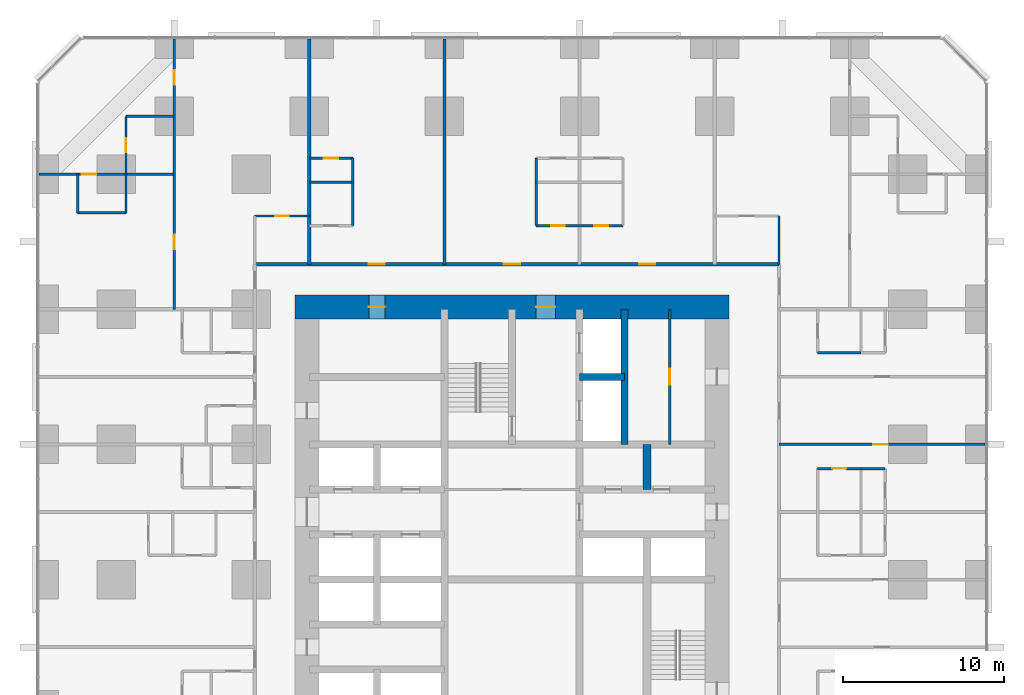
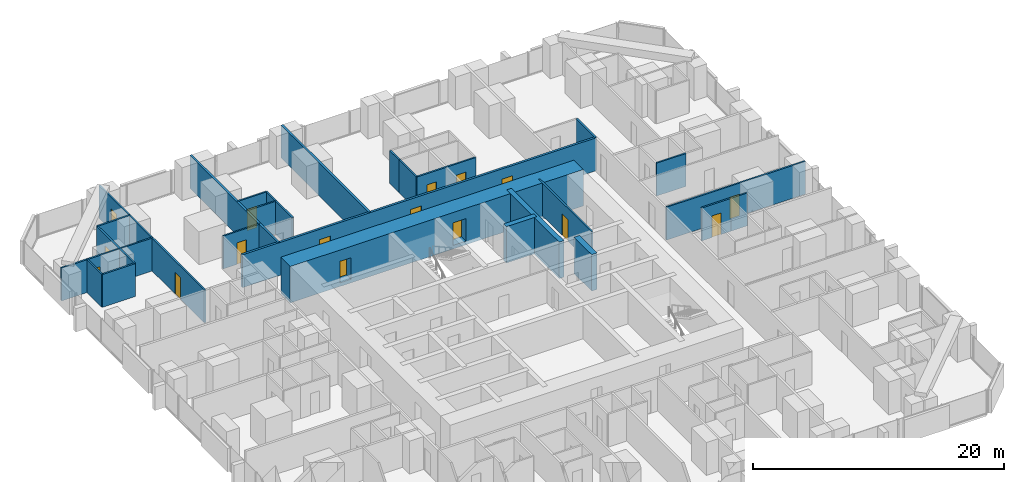
# One storey, part 14 of 16: 28 walls, 16 doors, 16 openings.
"""IFC4 building model written with IfcOpenShell, lengths in metres."""

import ifcopenshell
import ifcopenshell.guid

model = None  # the IFC model being written
_history = None  # IfcOwnerHistory: only IFC2X3 demands one
_inside = {}  # id of a spatial element -> (the spatial element, [elements in it])
_under = {}  # id of a project, library or spatial element -> (it, [spatial elements below it])
_declared = {}  # id of a project -> (the project, [libraries it declares])
_typed = {}  # id of a type object -> (the type object, [elements of that type])
_made_of = {}  # id of a material, layer set ... -> (it, [elements and type objects made of it])


def new_model(schema):
    """Start an empty IFC model of exactly this schema.

    Asked for "IFC4X3", IfcOpenShell would pick the latest addendum, in which some entities
    have other attributes; the version numbers below select the first issue.
    IFC2X3 requires an IfcOwnerHistory on every rooted entity: one is made here for all.
    """
    global model, _history
    if schema == "IFC4X3":
        model = ifcopenshell.file(schema_version=(4, 3, 0, 0))
    else:
        model = ifcopenshell.file(schema=schema)
    _inside.clear()
    _under.clear()
    _declared.clear()
    _typed.clear()
    _made_of.clear()
    _history = None
    if model.schema == "IFC2X3":
        org = make("IfcOrganization", Name="unknown")
        user = make(
            "IfcPersonAndOrganization",
            ThePerson=make("IfcPerson", FamilyName="unknown"),
            TheOrganization=org,
        )
        app = make(
            "IfcApplication",
            ApplicationDeveloper=org,
            Version="unknown",
            ApplicationFullName="unknown",
            ApplicationIdentifier="unknown",
        )
        _history = make(
            "IfcOwnerHistory",
            OwningUser=user,
            OwningApplication=app,
            ChangeAction="ADDED",
            CreationDate=0,
        )
    return model


def make(cls, **values):
    """One entity of the class cls with the attributes given. An attribute that is None is left unset."""
    return model.create_entity(
        cls, **{name: value for name, value in values.items() if value is not None}
    )


def rooted(cls, **values):
    """An entity with a GlobalId (a new one), such as an element, a storey or a relation."""
    return make(cls, GlobalId=ifcopenshell.guid.new(), OwnerHistory=_history, **values)


def si_unit(unit_type, name, prefix=None):
    """IfcSIUnit, for example si_unit("LENGTHUNIT", "METRE", prefix="MILLI")."""
    return make("IfcSIUnit", UnitType=unit_type, Prefix=prefix, Name=name)


def assignment(units):
    """IfcUnitAssignment: the units of a project."""
    return None if units is None else make("IfcUnitAssignment", Units=units)


def point(xyz):
    """IfcCartesianPoint."""
    return None if xyz is None else make("IfcCartesianPoint", Coordinates=xyz)


def direction(xyz):
    """IfcDirection."""
    return None if xyz is None else make("IfcDirection", DirectionRatios=xyz)


def frame(location, z_axis=None, x_axis=None):
    """IfcAxis2Placement3D, a coordinate frame: its origin and axes. An axis left out is left unset."""
    return make(
        "IfcAxis2Placement3D",
        Location=point(location),
        Axis=direction(z_axis),
        RefDirection=direction(x_axis),
    )


def frame_2d(location, x_axis=None):
    """IfcAxis2Placement2D, a coordinate frame in the plane: its origin and x axis."""
    return make(
        "IfcAxis2Placement2D", Location=point(location), RefDirection=direction(x_axis)
    )


def origin():
    """The frame at (0, 0, 0) with its axes left unset."""
    return frame((0.0, 0.0, 0.0))


def place(relative_to, where):
    """IfcLocalPlacement: puts the frame where relative to a parent placement (None: the world)."""
    return make(
        "IfcLocalPlacement", PlacementRelTo=relative_to, RelativePlacement=where
    )


def context(
    kind, dimensions, precision=None, world=None, true_north=None, identifier=None
):
    """IfcGeometricRepresentationContext, for example the 3D "Model" context."""
    return make(
        "IfcGeometricRepresentationContext",
        ContextIdentifier=identifier,
        ContextType=kind,
        CoordinateSpaceDimension=dimensions,
        Precision=precision,
        WorldCoordinateSystem=world,
        TrueNorth=true_north,
    )


def subcontext(parent, identifier, kind, view, scale=None):
    """IfcGeometricRepresentationSubContext, for example "Body" below "Model"."""
    return make(
        "IfcGeometricRepresentationSubContext",
        ContextIdentifier=identifier,
        ContextType=kind,
        ParentContext=parent,
        TargetScale=scale,
        TargetView=view,
    )


def project(units=None, contexts=None):
    """IfcProject with its units and contexts."""
    return rooted(
        "IfcProject",
        Name="project",
        RepresentationContexts=contexts,
        UnitsInContext=assignment(units),
    )


def spatial(cls, under=None, at=None, **own):
    """A site, building, storey or space (cls), placed at a placement, below another one or the project."""
    s = rooted(cls, ObjectPlacement=at, **own)
    if under is not None:
        _under.setdefault(under.id(), (under, []))[1].append(s)
    return s


def profile(cls, at=None, kind="AREA", **sizes):
    """A parametric profile (cls). Its sizes go by their IFC names, for example OverallWidth=200.0."""
    return make(cls, ProfileType=kind, Position=at, **sizes)


def rectangle(**sizes):
    """IfcRectangleProfileDef."""
    return profile("IfcRectangleProfileDef", **sizes)


def extrude(swept, where, along, depth):
    """IfcExtrudedAreaSolid: the profile swept, set in the frame where, extruded along a direction by depth."""
    return make(
        "IfcExtrudedAreaSolid",
        SweptArea=swept,
        Position=where,
        ExtrudedDirection=direction(along),
        Depth=depth,
    )


def shape(context_of_items, identifier, shape_type, items):
    """IfcShapeRepresentation: the items that make up one representation, for example the "Body"."""
    return make(
        "IfcShapeRepresentation",
        ContextOfItems=context_of_items,
        RepresentationIdentifier=identifier,
        RepresentationType=shape_type,
        Items=items,
    )


def material(Name=None, Category=None):
    """IfcMaterial."""
    return make("IfcMaterial", Name=Name, Category=Category)


def layer(
    of_material, thickness, ventilated=None, Name=None, Category=None, Priority=None
):
    """IfcMaterialLayer: one layer of a wall or slab, of a material (None: an air gap)."""
    return make(
        "IfcMaterialLayer",
        Material=of_material,
        LayerThickness=thickness,
        IsVentilated=ventilated,
        Name=Name,
        Category=Category,
        Priority=Priority,
    )


def layer_set(layers, Name=None):
    """IfcMaterialLayerSet."""
    return make("IfcMaterialLayerSet", MaterialLayers=layers, LayerSetName=Name)


def made_of(thing, what):
    """Note that an element or type object is made of a material, layer set ...; save() writes the relation."""
    if what is not None:
        _made_of.setdefault(what.id(), (what, []))[1].append(thing)
    return thing


def type_object(cls, material=None, **own):
    """A type object (cls), such as IfcWallType, which elements share."""
    return made_of(rooted(cls, **own), material)


def element(
    cls,
    number,
    at=None,
    inside=None,
    cuts=None,
    type_object=None,
    material=None,
    context=None,
    identifier="Body",
    shape_type=None,
    held_by="IfcProductDefinitionShape",
    body=None,
    shapes=None,
    **own,
):
    """One element of the class cls, such as IfcWall. Its Tag is "e" and its number.

    at: its placement. inside: the storey or other place that contains it. cuts: it is an
    opening in that element (IfcRelVoidsElement). A single representation is given by context,
    identifier, shape_type and body (its items); several are given by shapes. held_by: the class
    of the entity that holds the representations. save() writes the other relations.
    """
    e = rooted(cls, Tag="e%d" % number, ObjectPlacement=at, **own)
    if body is not None:
        shapes = [shape(context, identifier, shape_type, body)]
    if shapes is not None:
        e.Representation = make(held_by, Representations=shapes)
    if inside is not None:
        _inside.setdefault(inside.id(), (inside, []))[1].append(e)
    if cuts is not None:
        rooted(
            "IfcRelVoidsElement", RelatingBuildingElement=cuts, RelatedOpeningElement=e
        )
    if type_object is not None:
        _typed.setdefault(type_object.id(), (type_object, []))[1].append(e)
    return made_of(e, material)


def fill(opening, filler):
    """IfcRelFillsElement: the door or window that sits in an opening."""
    return rooted(
        "IfcRelFillsElement",
        RelatingOpeningElement=opening,
        RelatedBuildingElement=filler,
    )


def aggregate(whole, parts):
    """IfcRelAggregates: a whole, such as a stair, and the parts it consists of."""
    return rooted("IfcRelAggregates", RelatingObject=whole, RelatedObjects=parts)


def save(model, path):
    """Write the relations noted so far, then the file.

    IfcRelAggregates (storeys below a building ...), IfcRelContainedInSpatialStructure (elements
    in a storey), IfcRelDefinesByType, IfcRelAssociatesMaterial and IfcRelDeclares: one each for
    every whole, place, type object, material and project.
    """
    for whole, parts in _under.values():
        aggregate(whole, parts)
    for where, things in _inside.values():
        rooted(
            "IfcRelContainedInSpatialStructure",
            RelatedElements=things,
            RelatingStructure=where,
        )
    for kind, things in _typed.values():
        rooted("IfcRelDefinesByType", RelatedObjects=things, RelatingType=kind)
    for what, things in _made_of.values():
        rooted("IfcRelAssociatesMaterial", RelatedObjects=things, RelatingMaterial=what)
    for by, libraries in _declared.values():
        rooted("IfcRelDeclares", RelatingContext=by, RelatedDefinitions=libraries)
    model.write(path)


model = new_model("IFC4")

# Units and contexts
model_context = context("Model", 3, precision=1e-05, world=origin(), true_north=direction((0.0, 1.0)))
body_context = subcontext(model_context, "Body", "Model", "MODEL_VIEW")
ifc_project = project(units=[si_unit("LENGTHUNIT", "METRE"), si_unit("AREAUNIT", "SQUARE_METRE"), si_unit("VOLUMEUNIT", "CUBIC_METRE"), si_unit("PLANEANGLEUNIT", "RADIAN"), si_unit("MASSUNIT", "GRAM", prefix="KILO")], contexts=[model_context])

# Site, building, storey
site_placement = place(None, origin())
site = spatial("IfcSite", under=ifc_project, at=site_placement, CompositionType="ELEMENT")
building_placement = place(site_placement, origin())
building = spatial("IfcBuilding", under=site, at=building_placement, Name="Dunama Terrace Hotel", CompositionType="ELEMENT")
storey_placement = place(building_placement, frame((0.0, 0.0, 84.60009765625)))
storey = spatial("IfcBuildingStorey", under=building, at=storey_placement, Name="L21", CompositionType="ELEMENT", Elevation=84.60009765625)

# Wall, opening, door
ifc_material_1 = material(Name="Gypsum board partition", Category="masonry")
ifc_layer_1 = layer(ifc_material_1, 0.14990234375)
ifc_layer_set_1 = layer_set([ifc_layer_1], Name="Bathroom partition 150")
wall_type_1 = type_object("IfcWallType", Name="Bathroom partition 150", PredefinedType="PARTITIONING", material=ifc_layer_set_1)
wall_1_placement = place(storey_placement, frame((5.39990234375, 50.39990234375, 0.0), z_axis=(0.0, 0.0, 1.0), x_axis=(0.0, 1.0, 0.0)))
wall_1 = element("IfcWall", 1, at=wall_1_placement, inside=storey, type_object=wall_type_1, Name="Bathroom partition 150 L21", PredefinedType="PARTITIONING", context=body_context, shape_type="SweptSolid", body=[
    extrude(rectangle(XDim=3.60009765625, YDim=0.14990234375, at=frame_2d((1.800048828125, 0.0))), origin(), (0.0, 0.0, 1.0), 3.199951171875),
])
opening_1_placement = place(wall_1_placement, frame((1.375, 0.0, 0.0)))
opening_1 = element("IfcOpeningElement", 2, at=opening_1_placement, cuts=wall_1, Name="Opening L21-081", PredefinedType="OPENING", context=body_context, shape_type="SweptSolid", body=[
    extrude(rectangle(XDim=0.85009765625, YDim=2.10009765625, at=frame_2d((0.425048828125, 1.050048828125))), frame((0.0, 0.0849609375, 0.0), z_axis=(0.0, -1.0, 0.0), x_axis=(1.0, 0.0, 0.0)), (0.0, 0.0, 1.0), 0.169921875),
])
ifc_material_2 = material(Name="Timber door with steel frame", Category="steel")
door_type_1 = type_object("IfcDoorType", Name="Bathroom door 850", OperationType="SINGLE_SWING_LEFT", PredefinedType="DOOR", material=ifc_material_2)
door_1_placement = place(opening_1_placement, frame((0.85009765625, 0.0, 0.0), z_axis=(0.0, 0.0, 1.0), x_axis=(-1.0, 0.0, 0.0)))
door_1 = element("IfcDoor", 3, at=door_1_placement, inside=storey, type_object=door_type_1, Name="Door to en-suite bathroom L21-081, type D2", OperationType="SINGLE_SWING_RIGHT", OverallHeight=2.10009765625, OverallWidth=0.85009765625, PredefinedType="DOOR", context=body_context, shape_type="SweptSolid", body=[
    extrude(rectangle(XDim=0.85009765625, YDim=2.10009765625, at=frame_2d((0.425048828125, 1.050048828125))), frame((0.0, 0.025146484375, 0.0), z_axis=(0.0, -1.0, 0.0), x_axis=(1.0, 0.0, 0.0)), (0.0, 0.0, 1.0), 0.050048828125),
])
fill(opening_1, door_1)

# Walls
for number, where, z_axis, x_axis, name in (
    (4, (19.5, 47.199951171875, 0.0), (0.0, 0.0, 1.0), (0.0, 1.0, 0.0), "Bathroom partition 150 L21"),
    (5, (30.89990234375, 47.199951171875, 0.0), (0.0, 0.0, 1.0), (0.0, 1.0, 0.0), "Bathroom partition 150 L21"),
):
    element("IfcWall", number, at=place(storey_placement, frame(where, z_axis=z_axis, x_axis=x_axis)), inside=storey, type_object=wall_type_1, Name=name, PredefinedType="PARTITIONING", context=body_context, shape_type="SweptSolid", body=[
        extrude(rectangle(XDim=2.699951171875, YDim=0.14990234375, at=frame_2d((1.35009765625, 0.0))), origin(), (0.0, 0.0, 1.0), 3.199951171875),
    ])
wall_2_placement = place(storey_placement, frame((46.0, 44.800048828125, 0.0), z_axis=(0.0, 0.0, 1.0), x_axis=(0.0, 1.0, 0.0)))
element("IfcWall", 6, at=wall_2_placement, inside=storey, type_object=wall_type_1, Name="Bathroom partition 150 L21", PredefinedType="PARTITIONING", context=body_context, shape_type="SweptSolid", body=[
    extrude(rectangle(XDim=3.0, YDim=0.14990234375, at=frame_2d((1.5, 0.0))), origin(), (0.0, 0.0, 1.0), 3.199951171875),
])

# Wall, opening, door
wall_3_placement = place(storey_placement, frame((48.39990234375, 32.10009765625, 0.0), z_axis=(0.0, 0.0, 1.0), x_axis=(1.0, 0.0, 0.0)))
wall_3 = element("IfcWall", 7, at=wall_3_placement, inside=storey, type_object=wall_type_1, Name="Bathroom partition 150 L21", PredefinedType="PARTITIONING", context=body_context, shape_type="SweptSolid", body=[
    extrude(rectangle(XDim=2.7001953125, YDim=0.14990234375, at=frame_2d((1.35009765625, 0.0))), origin(), (0.0, 0.0, 1.0), 3.199951171875),
])
opening_2_placement = place(wall_3_placement, frame((0.925048828125, 0.0, 0.0)))
opening_2 = element("IfcOpeningElement", 8, at=opening_2_placement, cuts=wall_3, Name="Opening L21-035", PredefinedType="OPENING", context=body_context, shape_type="SweptSolid", body=[
    extrude(rectangle(XDim=0.85009765625, YDim=2.10009765625, at=frame_2d((0.425048828125, 1.050048828125))), frame((0.0, 0.0849609375, 0.0), z_axis=(0.0, -1.0, 0.0), x_axis=(1.0, 0.0, 0.0)), (0.0, 0.0, 1.0), 0.169921875),
])
door_2_placement = place(opening_2_placement, frame((0.85009765625, 0.0, 0.0), z_axis=(0.0, 0.0, 1.0), x_axis=(-1.0, 0.0, 0.0)))
door_2 = element("IfcDoor", 9, at=door_2_placement, inside=storey, type_object=door_type_1, Name="Door to en-suite bathroom L21-035, type D2", OperationType="SINGLE_SWING_RIGHT", OverallHeight=2.10009765625, OverallWidth=0.85009765625, PredefinedType="DOOR", context=body_context, shape_type="SweptSolid", body=[
    extrude(rectangle(XDim=0.85009765625, YDim=2.10009765625, at=frame_2d((0.425048828125, 1.050048828125))), frame((0.0, 0.025146484375, 0.0), z_axis=(0.0, -1.0, 0.0), x_axis=(1.0, 0.0, 0.0)), (0.0, 0.0, 1.0), 0.050048828125),
])
fill(opening_2, door_2)

# Wall
wall_4_placement = place(storey_placement, frame((48.39990234375, 39.300048828125, 0.0), z_axis=(0.0, 0.0, 1.0), x_axis=(1.0, 0.0, 0.0)))
element("IfcWall", 10, at=wall_4_placement, inside=storey, type_object=wall_type_1, Name="Bathroom partition 150 L21", PredefinedType="PARTITIONING", context=body_context, shape_type="SweptSolid", body=[
    extrude(rectangle(XDim=2.7001953125, YDim=0.14990234375, at=frame_2d((1.35009765625, 0.0))), origin(), (0.0, 0.0, 1.0), 3.199951171875),
])

# Wall, openings, doors
wall_5_placement = place(storey_placement, frame((30.89990234375, 47.199951171875, 0.0), z_axis=(0.0, 0.0, 1.0), x_axis=(1.0, 0.0, 0.0)))
wall_5 = element("IfcWall", 11, at=wall_5_placement, inside=storey, type_object=wall_type_1, Name="Bathroom partition 150 L21", PredefinedType="PARTITIONING", context=body_context, shape_type="SweptSolid", body=[
    extrude(rectangle(XDim=5.400146484375, YDim=0.14990234375, at=frame_2d((2.7001953125, 0.0))), origin(), (0.0, 0.0, 1.0), 3.199951171875),
])
opening_3_placement = place(wall_5_placement, frame((0.925048828125, 0.0, 0.0)))
opening_3 = element("IfcOpeningElement", 12, at=opening_3_placement, cuts=wall_5, Name="Opening L21-041", PredefinedType="OPENING", context=body_context, shape_type="SweptSolid", body=[
    extrude(rectangle(XDim=0.85009765625, YDim=2.10009765625, at=frame_2d((0.425048828125, 1.050048828125))), frame((0.0, 0.0849609375, 0.0), z_axis=(0.0, -1.0, 0.0), x_axis=(1.0, 0.0, 0.0)), (0.0, 0.0, 1.0), 0.169921875),
])
opening_4_placement = place(wall_5_placement, frame((3.625, 0.0, 0.0)))
opening_4 = element("IfcOpeningElement", 13, at=opening_4_placement, cuts=wall_5, Name="Opening L21-044", PredefinedType="OPENING", context=body_context, shape_type="SweptSolid", body=[
    extrude(rectangle(XDim=0.85009765625, YDim=2.10009765625, at=frame_2d((0.425048828125, 1.050048828125))), frame((0.0, 0.0849609375, 0.0), z_axis=(0.0, -1.0, 0.0), x_axis=(1.0, 0.0, 0.0)), (0.0, 0.0, 1.0), 0.169921875),
])
door_3_placement = place(opening_3_placement, origin())
door_3 = element("IfcDoor", 14, at=door_3_placement, inside=storey, type_object=door_type_1, Name="Door to en-suite bathroom L21-041, type D2", OperationType="SINGLE_SWING_RIGHT", OverallHeight=2.10009765625, OverallWidth=0.85009765625, PredefinedType="DOOR", context=body_context, shape_type="SweptSolid", body=[
    extrude(rectangle(XDim=0.85009765625, YDim=2.10009765625, at=frame_2d((0.425048828125, 1.050048828125))), frame((0.0, 0.02490234375, 0.0), z_axis=(0.0, -1.0, 0.0), x_axis=(1.0, 0.0, 0.0)), (0.0, 0.0, 1.0), 0.050048828125),
])
fill(opening_3, door_3)
door_4_placement = place(opening_4_placement, origin())
door_4 = element("IfcDoor", 15, at=door_4_placement, inside=storey, type_object=door_type_1, Name="Door to en-suite bathroom L21-044, type D2", OperationType="SINGLE_SWING_LEFT", OverallHeight=2.10009765625, OverallWidth=0.85009765625, PredefinedType="DOOR", context=body_context, shape_type="SweptSolid", body=[
    extrude(rectangle(XDim=0.85009765625, YDim=2.10009765625, at=frame_2d((0.425048828125, 1.050048828125))), frame((0.0, 0.02490234375, 0.0), z_axis=(0.0, -1.0, 0.0), x_axis=(1.0, 0.0, 0.0)), (0.0, 0.0, 1.0), 0.050048828125),
])
fill(opening_4, door_4)

# Wall, opening, door
wall_6_placement = place(storey_placement, frame((13.39990234375, 47.800048828125, 0.0), z_axis=(0.0, 0.0, 1.0), x_axis=(1.0, 0.0, 0.0)))
wall_6 = element("IfcWall", 16, at=wall_6_placement, inside=storey, type_object=wall_type_1, Name="Bathroom partition 150 L21", PredefinedType="PARTITIONING", context=body_context, shape_type="SweptSolid", body=[
    extrude(rectangle(XDim=3.400146484375, YDim=0.14990234375, at=frame_2d((1.7001953125, 0.0))), origin(), (0.0, 0.0, 1.0), 3.199951171875),
])
opening_5_placement = place(wall_6_placement, frame((1.27490234375, 0.0, 0.0)))
opening_5 = element("IfcOpeningElement", 17, at=opening_5_placement, cuts=wall_6, Name="Opening L21-079", PredefinedType="OPENING", context=body_context, shape_type="SweptSolid", body=[
    extrude(rectangle(XDim=0.85009765625, YDim=2.10009765625, at=frame_2d((0.425048828125, 1.050048828125))), frame((0.0, 0.0849609375, 0.0), z_axis=(0.0, -1.0, 0.0), x_axis=(1.0, 0.0, 0.0)), (0.0, 0.0, 1.0), 0.169921875),
])
door_5_placement = place(opening_5_placement, frame((0.85009765625, 0.0, 0.0), z_axis=(0.0, 0.0, 1.0), x_axis=(-1.0, 0.0, 0.0)))
door_5 = element("IfcDoor", 18, at=door_5_placement, inside=storey, type_object=door_type_1, Name="Door to powder room L21-079, type D2", OperationType="SINGLE_SWING_LEFT", OverallHeight=2.10009765625, OverallWidth=0.85009765625, PredefinedType="DOOR", context=body_context, shape_type="SweptSolid", body=[
    extrude(rectangle(XDim=0.85009765625, YDim=2.10009765625, at=frame_2d((0.425048828125, 1.050048828125))), frame((0.0, 0.025146484375, 0.0), z_axis=(0.0, -1.0, 0.0), x_axis=(1.0, 0.0, 0.0)), (0.0, 0.0, 1.0), 0.050048828125),
])
fill(opening_5, door_5)

# Walls
wall_7_placement = place(storey_placement, frame((5.39990234375, 54.0, 0.0), z_axis=(0.0, 0.0, 1.0), x_axis=(1.0, 0.0, 0.0)))
element("IfcWall", 19, at=wall_7_placement, inside=storey, type_object=wall_type_1, Name="Bathroom partition 150 L21", PredefinedType="PARTITIONING", context=body_context, shape_type="SweptSolid", body=[
    extrude(rectangle(XDim=3.0, YDim=0.14990234375, at=frame_2d((1.5, 0.0))), origin(), (0.0, 0.0, 1.0), 3.199951171875),
])
ifc_material_3 = material(Name="Concrete C50/60", Category="concrete")
ifc_layer_2 = layer(ifc_material_3, 0.449951171875)
ifc_layer_set_2 = layer_set([ifc_layer_2], Name="Core inner wall 450")
wall_type_2 = type_object("IfcWallType", Name="Core inner wall 450", PredefinedType="SHEAR", material=ifc_layer_set_2)
wall_8_placement = place(storey_placement, frame((36.39990234375, 33.60009765625, -0.35009765625), z_axis=(0.0, 0.0, 1.0), x_axis=(0.0, 1.0, 0.0)))
element("IfcWall", 20, at=wall_8_placement, inside=storey, type_object=wall_type_2, Name="Core inner wall 450 L21", PredefinedType="SHEAR", context=body_context, shape_type="SweptSolid", body=[
    extrude(rectangle(XDim=8.39990234375, YDim=0.449951171875, at=frame_2d((4.199951171875, 0.0))), origin(), (0.0, 0.0, 1.0), 3.550048828125),
])
wall_9_placement = place(storey_placement, frame((33.60009765625, 37.800048828125, -0.35009765625), z_axis=(0.0, 0.0, 1.0), x_axis=(1.0, 0.0, 0.0)))
element("IfcWall", 21, at=wall_9_placement, inside=storey, type_object=wall_type_2, Name="Core inner wall 450 L21", PredefinedType="SHEAR", context=body_context, shape_type="SweptSolid", body=[
    extrude(rectangle(XDim=2.7998046875, YDim=0.449951171875, at=frame_2d((1.39990234375, 0.0))), origin(), (0.0, 0.0, 1.0), 3.550048828125),
])
ifc_material_4 = material(Name="Concrete C50/60", Category="concrete")
ifc_layer_3 = layer(ifc_material_4, 0.5)
ifc_layer_set_3 = layer_set([ifc_layer_3], Name="Core inner wall 500")
wall_type_3 = type_object("IfcWallType", Name="Core inner wall 500", PredefinedType="SHEAR", material=ifc_layer_set_3)
wall_10_placement = place(storey_placement, frame((37.800048828125, 30.800048828125, -0.35009765625), z_axis=(0.0, 0.0, 1.0), x_axis=(0.0, 1.0, 0.0)))
element("IfcWall", 22, at=wall_10_placement, inside=storey, type_object=wall_type_3, Name="Core inner wall 500 L21", PredefinedType="SHEAR", context=body_context, shape_type="SweptSolid", body=[
    extrude(rectangle(XDim=2.800048828125, YDim=0.5, at=frame_2d((1.39990234375, 0.0))), origin(), (0.0, 0.0, 1.0), 3.550048828125),
])

# Wall, openings, doors
ifc_material_5 = material(Name="Concrete C60/75", Category="concrete")
ifc_layer_4 = layer(ifc_material_5, 1.5)
ifc_layer_set_4 = layer_set([ifc_layer_4], Name="Core wall 1500")
wall_type_4 = type_object("IfcWallType", Name="Core wall 1500", PredefinedType="SHEAR", material=ifc_layer_set_4)
wall_11_placement = place(storey_placement, frame((42.89990234375, 42.14990234375, -0.35009765625), z_axis=(0.0, 0.0, 1.0), x_axis=(-1.0, 0.0, 0.0)))
wall_11 = element("IfcWall", 23, at=wall_11_placement, inside=storey, type_object=wall_type_4, Name="Core wall north L21", PredefinedType="SHEAR", context=body_context, shape_type="SweptSolid", body=[
    extrude(rectangle(XDim=27.0, YDim=1.5, at=frame_2d((13.5, 0.0))), origin(), (0.0, 0.0, 1.0), 3.550048828125),
])
opening_6_placement = place(wall_11_placement, frame((21.39990234375, 0.0, 0.35009765625)))
opening_6 = element("IfcOpeningElement", 24, at=opening_6_placement, cuts=wall_11, Name="Opening L21-087", PredefinedType="OPENING", context=body_context, shape_type="SweptSolid", body=[
    extrude(rectangle(XDim=1.0, YDim=2.10009765625, at=frame_2d((0.5, 1.050048828125))), frame((0.0, 0.760009765625, 0.0), z_axis=(0.0, -1.0, 0.0), x_axis=(1.0, 0.0, 0.0)), (0.0, 0.0, 1.0), 1.52001953125),
])
opening_7_placement = place(wall_11_placement, frame((10.800048828125, 0.0, 0.35009765625)))
opening_7 = element("IfcOpeningElement", 25, at=opening_7_placement, cuts=wall_11, Name="Opening L21-093", PredefinedType="OPENING", context=body_context, shape_type="SweptSolid", body=[
    extrude(rectangle(XDim=1.199951171875, YDim=2.199951171875, at=frame_2d((0.60009765625, 1.10009765625))), frame((0.0, 0.760009765625, 0.0), z_axis=(0.0, -1.0, 0.0), x_axis=(1.0, 0.0, 0.0)), (0.0, 0.0, 1.0), 1.52001953125),
])
ifc_material_6 = material(Name="Timber door with steel frame", Category="steel")
door_type_2 = type_object("IfcDoorType", Name="Firefighting lobby door 1200", OperationType="SINGLE_SWING_LEFT", PredefinedType="DOOR", material=ifc_material_6)
door_6_placement = place(opening_7_placement, origin())
door_6 = element("IfcDoor", 26, at=door_6_placement, inside=storey, type_object=door_type_2, Name="Door to firefighting lobby L21-093, type D4", OperationType="SINGLE_SWING_RIGHT", OverallHeight=2.199951171875, OverallWidth=1.199951171875, PredefinedType="DOOR", context=body_context, shape_type="SweptSolid", body=[
    extrude(rectangle(XDim=1.199951171875, YDim=2.199951171875, at=frame_2d((0.60009765625, 1.10009765625))), frame((0.0, 0.02490234375, 0.0), z_axis=(0.0, -1.0, 0.0), x_axis=(1.0, 0.0, 0.0)), (0.0, 0.0, 1.0), 0.050048828125),
])
fill(opening_7, door_6)
ifc_material_7 = material(Name="Timber door with steel frame", Category="steel")
door_type_3 = type_object("IfcDoorType", Name="Service door 1000", OperationType="SINGLE_SWING_LEFT", PredefinedType="DOOR", material=ifc_material_7)
door_7_placement = place(opening_6_placement, origin())
door_7 = element("IfcDoor", 27, at=door_7_placement, inside=storey, type_object=door_type_3, Name="Door to communications and riser room L21-087, type D7", OperationType="SINGLE_SWING_LEFT", OverallHeight=2.10009765625, OverallWidth=1.0, PredefinedType="DOOR", context=body_context, shape_type="SweptSolid", body=[
    extrude(rectangle(XDim=1.0, YDim=2.10009765625, at=frame_2d((0.5, 1.050048828125))), frame((0.0, 0.02490234375, 0.0), z_axis=(0.0, -1.0, 0.0), x_axis=(1.0, 0.0, 0.0)), (0.0, 0.0, 1.0), 0.050048828125),
])
fill(opening_6, door_7)

ifc_material_8 = material(Name="Concrete blockwork", Category="masonry")
ifc_layer_5 = layer(ifc_material_8, 0.199951171875)
ifc_layer_set_5 = layer_set([ifc_layer_5], Name="Corridor partition 200")
wall_type_5 = type_object("IfcWallType", Name="Corridor partition 200", PredefinedType="PARTITIONING", material=ifc_layer_set_5)
wall_12_placement = place(storey_placement, frame((13.39990234375, 44.800048828125, 0.0), z_axis=(0.0, 0.0, 1.0), x_axis=(1.0, 0.0, 0.0)))
wall_12 = element("IfcWall", 28, at=wall_12_placement, inside=storey, type_object=wall_type_5, Name="Corridor partition 200 L21", PredefinedType="PARTITIONING", context=body_context, shape_type="SweptSolid", body=[
    extrude(rectangle(XDim=32.60009765625, YDim=0.199951171875, at=frame_2d((16.300048828125, 0.0))), origin(), (0.0, 0.0, 1.0), 3.199951171875),
])
opening_8_placement = place(wall_12_placement, frame((7.10009765625, 0.0, 0.0)))
opening_8 = element("IfcOpeningElement", 29, at=opening_8_placement, cuts=wall_12, Name="Opening L21-037", PredefinedType="OPENING", context=body_context, shape_type="SweptSolid", body=[
    extrude(rectangle(XDim=1.0, YDim=2.199951171875, at=frame_2d((0.5, 1.10009765625))), frame((0.0, 0.10986328125, 0.0), z_axis=(0.0, -1.0, 0.0), x_axis=(1.0, 0.0, 0.0)), (0.0, 0.0, 1.0), 0.219970703125),
])
opening_9_placement = place(wall_12_placement, frame((15.5, 0.0, 0.0)))
opening_9 = element("IfcOpeningElement", 30, at=opening_9_placement, cuts=wall_12, Name="Opening L21-040", PredefinedType="OPENING", context=body_context, shape_type="SweptSolid", body=[
    extrude(rectangle(XDim=1.0, YDim=2.199951171875, at=frame_2d((0.5, 1.10009765625))), frame((0.0, 0.10986328125, 0.0), z_axis=(0.0, -1.0, 0.0), x_axis=(1.0, 0.0, 0.0)), (0.0, 0.0, 1.0), 0.219970703125),
])
opening_10_placement = place(wall_12_placement, frame((23.89990234375, 0.0, 0.0)))
opening_10 = element("IfcOpeningElement", 31, at=opening_10_placement, cuts=wall_12, Name="Opening L21-043", PredefinedType="OPENING", context=body_context, shape_type="SweptSolid", body=[
    extrude(rectangle(XDim=1.0, YDim=2.199951171875, at=frame_2d((0.5, 1.10009765625))), frame((0.0, 0.10986328125, 0.0), z_axis=(0.0, -1.0, 0.0), x_axis=(1.0, 0.0, 0.0)), (0.0, 0.0, 1.0), 0.219970703125),
])
ifc_material_9 = material(Name="Timber door with steel frame", Category="steel")
door_type_4 = type_object("IfcDoorType", Name="Guest room door 1000", OperationType="SINGLE_SWING_LEFT", PredefinedType="DOOR", material=ifc_material_9)
door_8_placement = place(opening_8_placement, origin())
door_8 = element("IfcDoor", 32, at=door_8_placement, inside=storey, type_object=door_type_4, Name="Door to junior suite L21-037, type D1", OperationType="SINGLE_SWING_LEFT", OverallHeight=2.199951171875, OverallWidth=1.0, PredefinedType="DOOR", context=body_context, shape_type="SweptSolid", body=[
    extrude(rectangle(XDim=1.0, YDim=2.199951171875, at=frame_2d((0.5, 1.10009765625))), frame((0.0, 0.02490234375, 0.0), z_axis=(0.0, -1.0, 0.0), x_axis=(1.0, 0.0, 0.0)), (0.0, 0.0, 1.0), 0.050048828125),
])
fill(opening_8, door_8)
door_9_placement = place(opening_9_placement, origin())
door_9 = element("IfcDoor", 33, at=door_9_placement, inside=storey, type_object=door_type_4, Name="Door to junior suite L21-040, type D1", OperationType="SINGLE_SWING_RIGHT", OverallHeight=2.199951171875, OverallWidth=1.0, PredefinedType="DOOR", context=body_context, shape_type="SweptSolid", body=[
    extrude(rectangle(XDim=1.0, YDim=2.199951171875, at=frame_2d((0.5, 1.10009765625))), frame((0.0, 0.02490234375, 0.0), z_axis=(0.0, -1.0, 0.0), x_axis=(1.0, 0.0, 0.0)), (0.0, 0.0, 1.0), 0.050048828125),
])
fill(opening_9, door_9)
door_10_placement = place(opening_10_placement, origin())
door_10 = element("IfcDoor", 34, at=door_10_placement, inside=storey, type_object=door_type_4, Name="Door to junior suite L21-043, type D1", OperationType="SINGLE_SWING_LEFT", OverallHeight=2.199951171875, OverallWidth=1.0, PredefinedType="DOOR", context=body_context, shape_type="SweptSolid", body=[
    extrude(rectangle(XDim=1.0, YDim=2.199951171875, at=frame_2d((0.5, 1.10009765625))), frame((0.0, 0.02490234375, 0.0), z_axis=(0.0, -1.0, 0.0), x_axis=(1.0, 0.0, 0.0)), (0.0, 0.0, 1.0), 0.050048828125),
])
fill(opening_10, door_10)

# Walls
ifc_material_10 = material(Name="Concrete blockwork", Category="masonry")
ifc_layer_6 = layer(ifc_material_10, 0.199951171875)
ifc_layer_set_6 = layer_set([ifc_layer_6], Name="Party wall 200")
wall_type_6 = type_object("IfcWallType", Name="Party wall 200", PredefinedType="PARTITIONING", material=ifc_layer_set_6)
for number, where, z_axis, x_axis, name in (
    (35, (16.800048828125, 44.800048828125, 0.0), (0.0, 0.0, 1.0), (0.0, 1.0, 0.0), "Party wall 200 L21"),
    (36, (25.199951171875, 44.800048828125, 0.0), (0.0, 0.0, 1.0), (0.0, 1.0, 0.0), "Party wall 200 L21"),
):
    element("IfcWall", number, at=place(storey_placement, frame(where, z_axis=z_axis, x_axis=x_axis)), inside=storey, type_object=wall_type_6, Name=name, PredefinedType="PARTITIONING", context=body_context, shape_type="SweptSolid", body=[
        extrude(rectangle(XDim=14.008056640625, YDim=0.199951171875, at=frame_2d((7.00390625, 0.0))), origin(), (0.0, 0.0, 1.0), 3.199951171875),
    ])
ifc_material_11 = material(Name="Gypsum board partition", Category="masonry")
ifc_layer_7 = layer(ifc_material_11, 0.14990234375)
ifc_layer_set_7 = layer_set([ifc_layer_7], Name="Room partition 150")
wall_type_7 = type_object("IfcWallType", Name="Room partition 150", PredefinedType="PARTITIONING", material=ifc_layer_set_7)
for number, where, z_axis, x_axis, name in (
    (37, (2.39990234375, 48.0, 0.0), (0.0, 0.0, 1.0), (0.0, 1.0, 0.0), "Room partition 150 L21"),
    (38, (5.39990234375, 48.0, 0.0), (0.0, 0.0, 1.0), (0.0, 1.0, 0.0), "Room partition 150 L21"),
):
    element("IfcWall", number, at=place(storey_placement, frame(where, z_axis=z_axis, x_axis=x_axis)), inside=storey, type_object=wall_type_7, Name=name, PredefinedType="PARTITIONING", context=body_context, shape_type="SweptSolid", body=[
        extrude(rectangle(XDim=2.39990234375, YDim=0.14990234375, at=frame_2d((1.199951171875, 0.0))), origin(), (0.0, 0.0, 1.0), 3.199951171875),
    ])

# Wall, openings, doors
wall_13_placement = place(storey_placement, frame((8.39990234375, 42.0, 0.0), z_axis=(0.0, 0.0, 1.0), x_axis=(0.0, 1.0, 0.0)))
wall_13 = element("IfcWall", 39, at=wall_13_placement, inside=storey, type_object=wall_type_7, Name="Room partition 150 L21", PredefinedType="PARTITIONING", context=body_context, shape_type="SweptSolid", body=[
    extrude(rectangle(XDim=16.80810546875, YDim=0.14990234375, at=frame_2d((8.404052734375, 0.0))), origin(), (0.0, 0.0, 1.0), 3.199951171875),
])
opening_11_placement = place(wall_13_placement, frame((13.949951171875, 0.0, 0.0)))
opening_11 = element("IfcOpeningElement", 40, at=opening_11_placement, cuts=wall_13, Name="Opening L21-080", PredefinedType="OPENING", context=body_context, shape_type="SweptSolid", body=[
    extrude(rectangle(XDim=0.89990234375, YDim=2.10009765625, at=frame_2d((0.449951171875, 1.050048828125))), frame((0.0, 0.0849609375, 0.0), z_axis=(0.0, -1.0, 0.0), x_axis=(1.0, 0.0, 0.0)), (0.0, 0.0, 1.0), 0.169921875),
])
opening_12_placement = place(wall_13_placement, frame((3.75, 0.0, 0.0)))
opening_12 = element("IfcOpeningElement", 41, at=opening_12_placement, cuts=wall_13, Name="Opening L21-083", PredefinedType="OPENING", context=body_context, shape_type="SweptSolid", body=[
    extrude(rectangle(XDim=0.89990234375, YDim=2.10009765625, at=frame_2d((0.449951171875, 1.050048828125))), frame((0.0, 0.0849609375, 0.0), z_axis=(0.0, -1.0, 0.0), x_axis=(1.0, 0.0, 0.0)), (0.0, 0.0, 1.0), 0.169921875),
])
ifc_material_12 = material(Name="Timber door with steel frame", Category="steel")
door_type_5 = type_object("IfcDoorType", Name="Suite internal door 900", OperationType="SINGLE_SWING_LEFT", PredefinedType="DOOR", material=ifc_material_12)
door_11_placement = place(opening_11_placement, origin())
door_11 = element("IfcDoor", 42, at=door_11_placement, inside=storey, type_object=door_type_5, Name="Door to corner suite bedroom L21-080, type D16", OperationType="SINGLE_SWING_RIGHT", OverallHeight=2.10009765625, OverallWidth=0.89990234375, PredefinedType="DOOR", context=body_context, shape_type="SweptSolid", body=[
    extrude(rectangle(XDim=0.89990234375, YDim=2.10009765625, at=frame_2d((0.449951171875, 1.050048828125))), frame((0.0, 0.02490234375, 0.0), z_axis=(0.0, -1.0, 0.0), x_axis=(1.0, 0.0, 0.0)), (0.0, 0.0, 1.0), 0.050048828125),
])
fill(opening_11, door_11)
door_12_placement = place(opening_12_placement, origin())
door_12 = element("IfcDoor", 43, at=door_12_placement, inside=storey, type_object=door_type_5, Name="Door to corner suite study L21-083, type D16", OperationType="SINGLE_SWING_RIGHT", OverallHeight=2.10009765625, OverallWidth=0.89990234375, PredefinedType="DOOR", context=body_context, shape_type="SweptSolid", body=[
    extrude(rectangle(XDim=0.89990234375, YDim=2.10009765625, at=frame_2d((0.449951171875, 1.050048828125))), frame((0.0, 0.02490234375, 0.0), z_axis=(0.0, -1.0, 0.0), x_axis=(1.0, 0.0, 0.0)), (0.0, 0.0, 1.0), 0.050048828125),
])
fill(opening_12, door_12)

# Walls
for number, where, z_axis, x_axis, name in (
    (44, (19.5, 49.89990234375, 0.0), (0.0, 0.0, 1.0), (0.0, 1.0, 0.0), "Room partition 150 L21"),
    (45, (30.89990234375, 49.89990234375, 0.0), (0.0, 0.0, 1.0), (0.0, 1.0, 0.0), "Room partition 150 L21"),
):
    element("IfcWall", number, at=place(storey_placement, frame(where, z_axis=z_axis, x_axis=x_axis)), inside=storey, type_object=wall_type_7, Name=name, PredefinedType="PARTITIONING", context=body_context, shape_type="SweptSolid", body=[
        extrude(rectangle(XDim=1.5, YDim=0.14990234375, at=frame_2d((0.75, 0.0))), origin(), (0.0, 0.0, 1.0), 3.199951171875),
    ])

# Wall, opening, door
wall_14_placement = place(storey_placement, frame((39.199951171875, 33.60009765625, 0.0), z_axis=(0.0, 0.0, 1.0), x_axis=(0.0, 1.0, 0.0)))
wall_14 = element("IfcWall", 46, at=wall_14_placement, inside=storey, type_object=wall_type_7, Name="Room partition 150 L21", PredefinedType="PARTITIONING", context=body_context, shape_type="SweptSolid", body=[
    extrude(rectangle(XDim=8.39990234375, YDim=0.14990234375, at=frame_2d((4.199951171875, 0.0))), origin(), (0.0, 0.0, 1.0), 3.199951171875),
])
opening_13_placement = place(wall_14_placement, frame((3.699951171875, 0.0, 0.0)))
opening_13 = element("IfcOpeningElement", 47, at=opening_13_placement, cuts=wall_14, Name="Opening L21-095", PredefinedType="OPENING", context=body_context, shape_type="SweptSolid", body=[
    extrude(rectangle(XDim=1.0, YDim=2.10009765625, at=frame_2d((0.5, 1.050048828125))), frame((0.0, 0.0849609375, 0.0), z_axis=(0.0, -1.0, 0.0), x_axis=(1.0, 0.0, 0.0)), (0.0, 0.0, 1.0), 0.169921875),
])
door_13_placement = place(opening_13_placement, origin())
door_13 = element("IfcDoor", 48, at=door_13_placement, inside=storey, type_object=door_type_3, Name="Door to housekeeping store L21-095, type D7", OperationType="SINGLE_SWING_LEFT", OverallHeight=2.10009765625, OverallWidth=1.0, PredefinedType="DOOR", context=body_context, shape_type="SweptSolid", body=[
    extrude(rectangle(XDim=1.0, YDim=2.10009765625, at=frame_2d((0.5, 1.050048828125))), frame((0.0, 0.02490234375, 0.0), z_axis=(0.0, -1.0, 0.0), x_axis=(1.0, 0.0, 0.0)), (0.0, 0.0, 1.0), 0.050048828125),
])
fill(opening_13, door_13)

# Wall
wall_15_placement = place(storey_placement, frame((51.10009765625, 32.10009765625, 0.0), z_axis=(0.0, 0.0, 1.0), x_axis=(1.0, 0.0, 0.0)))
element("IfcWall", 49, at=wall_15_placement, inside=storey, type_object=wall_type_7, Name="Room partition 150 L21", PredefinedType="PARTITIONING", context=body_context, shape_type="SweptSolid", body=[
    extrude(rectangle(XDim=1.5, YDim=0.14990234375, at=frame_2d((0.75, 0.0))), origin(), (0.0, 0.0, 1.0), 3.199951171875),
])

# Wall, opening, door
wall_16_placement = place(storey_placement, frame((46.0, 33.60009765625, 0.0), z_axis=(0.0, 0.0, 1.0), x_axis=(1.0, 0.0, 0.0)))
wall_16 = element("IfcWall", 50, at=wall_16_placement, inside=storey, type_object=wall_type_7, Name="Room partition 150 L21", PredefinedType="PARTITIONING", context=body_context, shape_type="SweptSolid", body=[
    extrude(rectangle(XDim=12.80810546875, YDim=0.14990234375, at=frame_2d((6.404052734375, 0.0))), origin(), (0.0, 0.0, 1.0), 3.199951171875),
])
opening_14_placement = place(wall_16_placement, frame((5.85009765625, 0.0, 0.0)))
opening_14 = element("IfcOpeningElement", 51, at=opening_14_placement, cuts=wall_16, Name="Opening L21-034", PredefinedType="OPENING", context=body_context, shape_type="SweptSolid", body=[
    extrude(rectangle(XDim=0.89990234375, YDim=2.10009765625, at=frame_2d((0.449951171875, 1.050048828125))), frame((0.0, 0.0849609375, 0.0), z_axis=(0.0, -1.0, 0.0), x_axis=(1.0, 0.0, 0.0)), (0.0, 0.0, 1.0), 0.169921875),
])
door_14_placement = place(opening_14_placement, frame((0.89990234375, 0.0, 0.0), z_axis=(0.0, 0.0, 1.0), x_axis=(-1.0, 0.0, 0.0)))
door_14 = element("IfcDoor", 52, at=door_14_placement, inside=storey, type_object=door_type_5, Name="Door to family suite second bedroom L21-034, type D16", OperationType="SINGLE_SWING_LEFT", OverallHeight=2.10009765625, OverallWidth=0.89990234375, PredefinedType="DOOR", context=body_context, shape_type="SweptSolid", body=[
    extrude(rectangle(XDim=0.89990234375, YDim=2.10009765625, at=frame_2d((0.449951171875, 1.050048828125))), frame((0.0, 0.025146484375, 0.0), z_axis=(0.0, -1.0, 0.0), x_axis=(1.0, 0.0, 0.0)), (0.0, 0.0, 1.0), 0.050048828125),
])
fill(opening_14, door_14)

# Walls
wall_17_placement = place(storey_placement, frame((2.39990234375, 48.0, 0.0), z_axis=(0.0, 0.0, 1.0), x_axis=(1.0, 0.0, 0.0)))
element("IfcWall", 53, at=wall_17_placement, inside=storey, type_object=wall_type_7, Name="Room partition 150 L21", PredefinedType="PARTITIONING", context=body_context, shape_type="SweptSolid", body=[
    extrude(rectangle(XDim=3.0, YDim=0.14990234375, at=frame_2d((1.5, 0.0))), origin(), (0.0, 0.0, 1.0), 3.199951171875),
])
wall_18_placement = place(storey_placement, frame((16.800048828125, 49.89990234375, 0.0), z_axis=(0.0, 0.0, 1.0), x_axis=(1.0, 0.0, 0.0)))
element("IfcWall", 54, at=wall_18_placement, inside=storey, type_object=wall_type_7, Name="Room partition 150 L21", PredefinedType="PARTITIONING", context=body_context, shape_type="SweptSolid", body=[
    extrude(rectangle(XDim=2.699951171875, YDim=0.14990234375, at=frame_2d((1.35009765625, 0.0))), origin(), (0.0, 0.0, 1.0), 3.199951171875),
])

# Wall, opening, door
wall_19_placement = place(storey_placement, frame((-0.008056640625, 50.39990234375, 0.0), z_axis=(0.0, 0.0, 1.0), x_axis=(1.0, 0.0, 0.0)))
wall_19 = element("IfcWall", 55, at=wall_19_placement, inside=storey, type_object=wall_type_7, Name="Room partition 150 L21", PredefinedType="PARTITIONING", context=body_context, shape_type="SweptSolid", body=[
    extrude(rectangle(XDim=8.407958984375, YDim=0.14990234375, at=frame_2d((4.2041015625, 0.0))), origin(), (0.0, 0.0, 1.0), 3.199951171875),
])
opening_15_placement = place(wall_19_placement, frame((2.657958984375, 0.0, 0.0)))
opening_15 = element("IfcOpeningElement", 56, at=opening_15_placement, cuts=wall_19, Name="Opening L21-082", PredefinedType="OPENING", context=body_context, shape_type="SweptSolid", body=[
    extrude(rectangle(XDim=0.89990234375, YDim=2.10009765625, at=frame_2d((0.449951171875, 1.050048828125))), frame((0.0, 0.0849609375, 0.0), z_axis=(0.0, -1.0, 0.0), x_axis=(1.0, 0.0, 0.0)), (0.0, 0.0, 1.0), 0.169921875),
])
door_15_placement = place(opening_15_placement, frame((0.89990234375, 0.0, 0.0), z_axis=(0.0, 0.0, 1.0), x_axis=(-1.0, 0.0, 0.0)))
door_15 = element("IfcDoor", 57, at=door_15_placement, inside=storey, type_object=door_type_5, Name="Door to dressing room L21-082, type D16", OperationType="SINGLE_SWING_LEFT", OverallHeight=2.10009765625, OverallWidth=0.89990234375, PredefinedType="DOOR", context=body_context, shape_type="SweptSolid", body=[
    extrude(rectangle(XDim=0.89990234375, YDim=2.10009765625, at=frame_2d((0.449951171875, 1.050048828125))), frame((0.0, 0.025146484375, 0.0), z_axis=(0.0, -1.0, 0.0), x_axis=(1.0, 0.0, 0.0)), (0.0, 0.0, 1.0), 0.050048828125),
])
fill(opening_15, door_15)

wall_20_placement = place(storey_placement, frame((16.800048828125, 51.39990234375, 0.0), z_axis=(0.0, 0.0, 1.0), x_axis=(1.0, 0.0, 0.0)))
wall_20 = element("IfcWall", 58, at=wall_20_placement, inside=storey, type_object=wall_type_7, Name="Room partition 150 L21", PredefinedType="PARTITIONING", context=body_context, shape_type="SweptSolid", body=[
    extrude(rectangle(XDim=2.699951171875, YDim=0.14990234375, at=frame_2d((1.35009765625, 0.0))), origin(), (0.0, 0.0, 1.0), 3.199951171875),
])
opening_16_placement = place(wall_20_placement, frame((0.89990234375, 0.0, 0.0)))
opening_16 = element("IfcOpeningElement", 59, at=opening_16_placement, cuts=wall_20, Name="Opening L21-039", PredefinedType="OPENING", context=body_context, shape_type="SweptSolid", body=[
    extrude(rectangle(XDim=0.89990234375, YDim=2.10009765625, at=frame_2d((0.449951171875, 1.050048828125))), frame((0.0, 0.0849609375, 0.0), z_axis=(0.0, -1.0, 0.0), x_axis=(1.0, 0.0, 0.0)), (0.0, 0.0, 1.0), 0.169921875),
])
door_16_placement = place(opening_16_placement, frame((0.89990234375, 0.0, 0.0), z_axis=(0.0, 0.0, 1.0), x_axis=(-1.0, 0.0, 0.0)))
door_16 = element("IfcDoor", 60, at=door_16_placement, inside=storey, type_object=door_type_5, Name="Door to walk-in wardrobe L21-039, type D16", OperationType="SINGLE_SWING_RIGHT", OverallHeight=2.10009765625, OverallWidth=0.89990234375, PredefinedType="DOOR", context=body_context, shape_type="SweptSolid", body=[
    extrude(rectangle(XDim=0.89990234375, YDim=2.10009765625, at=frame_2d((0.449951171875, 1.050048828125))), frame((0.0, 0.025146484375, 0.0), z_axis=(0.0, -1.0, 0.0), x_axis=(1.0, 0.0, 0.0)), (0.0, 0.0, 1.0), 0.050048828125),
])
fill(opening_16, door_16)

save(model, "model.ifc")
